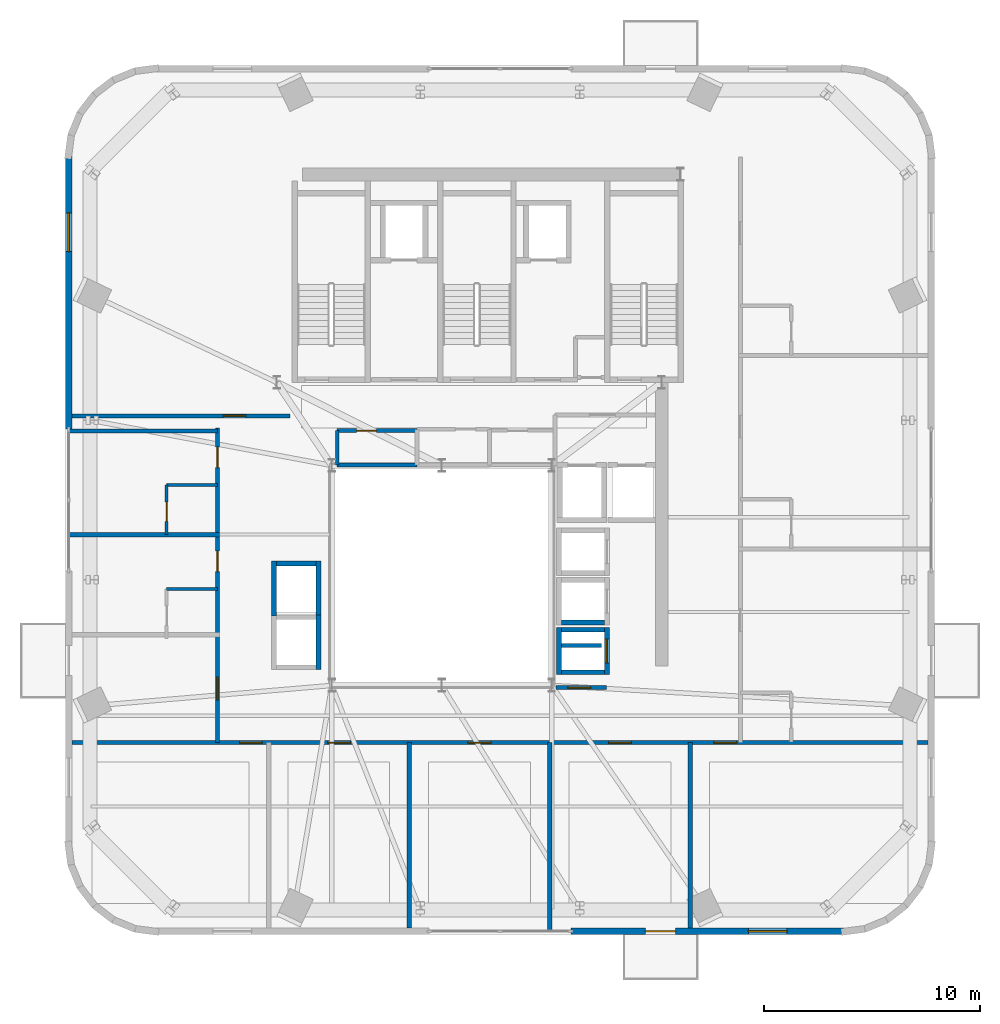
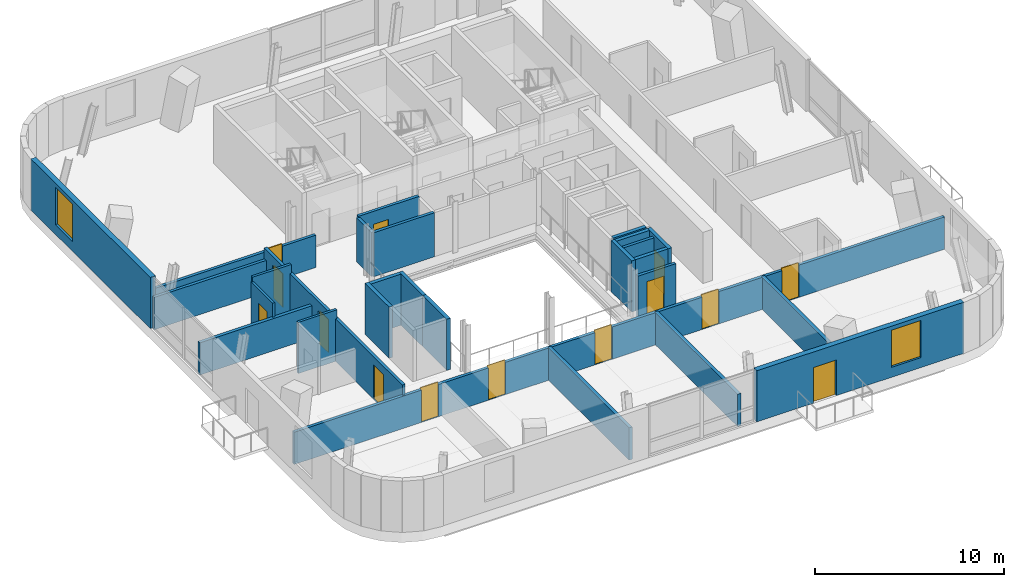
# One storey, part 7 of 13: 27 walls, 14 doors, 2 windows, 16 openings.
"""IFC4 building model written with IfcOpenShell, lengths in metres."""

from ifc_helpers import new_model, si_unit, direction, frame, frame_2d, origin, place, context, subcontext, project, spatial, rectangle, extrude, source, transform, mapped, material, layer, layer_set, type_object, element, fill, save


model = new_model("IFC4")

# Units and contexts
model_context = context("Model", 3, precision=1e-05, world=origin(), true_north=direction((0.0, 1.0)))
body_context = subcontext(model_context, "Body", "Model", "MODEL_VIEW")
ifc_project = project(units=[si_unit("LENGTHUNIT", "METRE"), si_unit("AREAUNIT", "SQUARE_METRE"), si_unit("VOLUMEUNIT", "CUBIC_METRE"), si_unit("PLANEANGLEUNIT", "RADIAN"), si_unit("MASSUNIT", "GRAM", prefix="KILO")], contexts=[model_context])

# Site, building, storey
site_placement = place(None, origin())
site = spatial("IfcSite", under=ifc_project, at=site_placement, CompositionType="ELEMENT")
building_placement = place(site_placement, origin())
building = spatial("IfcBuilding", under=site, at=building_placement, Name="Vardaveli Station Tower", CompositionType="ELEMENT")
storey_placement = place(building_placement, frame((0.0, 0.0, 278.25)))
storey = spatial("IfcBuildingStorey", under=building, at=storey_placement, Name="L71", CompositionType="ELEMENT", Elevation=278.25)

# Wall, openings, door, window
ifc_material_1 = material(Name="Precast concrete C45/55", Category="concrete")
ifc_layer_1 = layer(ifc_material_1, 0.320068359375, Name="Precast concrete C45/55")
ifc_layer_set_1 = layer_set([ifc_layer_1], Name="Precast concrete C45/55")
wall_type_1 = type_object("IfcWallType", Name="WAL-EXT-STONE-320", PredefinedType="SOLIDWALL", material=ifc_layer_set_1)
shared_shape_1 = source(origin(), body_context, "Body", "SweptSolid", [
    extrude(rectangle(XDim=12.6259765625, YDim=0.320068359375, at=frame_2d((6.31298828125, 0.0))), origin(), (0.0, 0.0, 1.0), 3.300048828125),
])
wall_1_placement = place(storey_placement, frame((42.300048828125, 5.199951171875, 0.0), z_axis=(0.0, 0.0, 1.0), x_axis=(1.0, 0.0, 0.0)))
wall_1 = element("IfcWall", 1, at=wall_1_placement, inside=storey, type_object=wall_type_1, Name="EW-L71-S2", PredefinedType="SOLIDWALL", context=body_context, shape_type="MappedRepresentation", body=[
    mapped(shared_shape_1, transform((0.0, 0.0, 0.0), scale=1.0)),
])
shared_shape_2 = source(origin(), body_context, "Body", "SweptSolid", [
    extrude(rectangle(XDim=1.39990234375, YDim=2.300048828125, at=frame_2d((0.699951171875, 1.14990234375))), frame((0.0, 0.169921875, 0.0), z_axis=(0.0, -1.0, 0.0), x_axis=(1.0, 0.0, 0.0)), (0.0, 0.0, 1.0), 0.340087890625),
])
opening_1_placement = place(wall_1_placement, frame((3.447509765625, 0.0, 0.0)))
opening_1 = element("IfcOpeningElement", 2, at=opening_1_placement, cuts=wall_1, Name="Opening D-09", PredefinedType="OPENING", context=body_context, shape_type="MappedRepresentation", body=[
    mapped(shared_shape_2, transform((0.0, 0.0, 0.0), scale=1.0)),
])
shared_shape_3 = source(origin(), body_context, "Body", "SweptSolid", [
    extrude(rectangle(XDim=1.800048828125, YDim=2.39990234375, at=frame_2d((0.89990234375, 1.199951171875))), frame((0.0, 0.169921875, 0.0), z_axis=(0.0, -1.0, 0.0), x_axis=(1.0, 0.0, 0.0)), (0.0, 0.0, 1.0), 0.340087890625),
])
opening_2_placement = place(wall_1_placement, frame((8.2158203125, 0.0, 0.639892578125)))
opening_2 = element("IfcOpeningElement", 3, at=opening_2_placement, cuts=wall_1, Name="Opening W-05", PredefinedType="OPENING", context=body_context, shape_type="MappedRepresentation", body=[
    mapped(shared_shape_3, transform((0.0, 0.0, 0.0), scale=1.0)),
])
ifc_material_2 = material(Name="Thermally broken aluminium glass", Category="aluminium")
door_type_1 = type_object("IfcDoorType", Name="DR-LOG-1400x2300", OperationType="DOUBLE_DOOR_SLIDING", PredefinedType="DOOR", material=ifc_material_2)
shared_shape_4 = source(origin(), body_context, "Body", "SweptSolid", [
    extrude(rectangle(XDim=1.39990234375, YDim=2.300048828125, at=frame_2d((0.699951171875, 1.14990234375))), frame((0.0, 0.02490234375, 0.0), z_axis=(0.0, -1.0, 0.0), x_axis=(1.0, 0.0, 0.0)), (0.0, 0.0, 1.0), 0.050048828125),
])
door_1_placement = place(opening_1_placement, frame((1.39990234375, 0.0, 0.0), z_axis=(0.0, 0.0, 1.0), x_axis=(-1.0, 0.0, 0.0)))
door_1 = element("IfcDoor", 4, at=door_1_placement, inside=storey, type_object=door_type_1, Name="DLG-L71-S", OperationType="DOUBLE_DOOR_SLIDING", OverallHeight=2.300048828125, OverallWidth=1.39990234375, PredefinedType="DOOR", context=body_context, shape_type="MappedRepresentation", body=[
    mapped(shared_shape_4, transform((0.0, 0.0, 0.0), scale=1.0)),
])
fill(opening_1, door_1)
ifc_material_3 = material(Name="Low-E solar-control glass", Category="glass")
window_type = type_object("IfcWindowType", Name="WIN-HIGH-1800x2400", PartitioningType="SINGLE_PANEL", PredefinedType="WINDOW", material=ifc_material_3)
shared_shape_5 = source(origin(), body_context, "Body", "SweptSolid", [
    extrude(rectangle(XDim=1.800048828125, YDim=2.39990234375, at=frame_2d((0.89990234375, 1.199951171875))), frame((0.0, 0.030029296875, 0.0), z_axis=(0.0, -1.0, 0.0), x_axis=(1.0, 0.0, 0.0)), (0.0, 0.0, 1.0), 0.06005859375),
])
window_1_placement = place(opening_2_placement, origin())
window_1 = element("IfcWindow", 5, at=window_1_placement, inside=storey, type_object=window_type, Name="WN-L71-S2", OverallHeight=2.39990234375, OverallWidth=1.800048828125, PartitioningType="SINGLE_PANEL", PredefinedType="WINDOW", context=body_context, shape_type="MappedRepresentation", body=[
    mapped(shared_shape_5, transform((0.0, 0.0, 0.0), scale=1.0)),
])
fill(opening_2, window_1)

# Wall, opening, window
wall_2_placement = place(storey_placement, frame((19.0, 41.1259765625, 0.0), z_axis=(0.0, 0.0, 1.0), x_axis=(0.0, -1.0, 0.0)))
wall_2 = element("IfcWall", 6, at=wall_2_placement, inside=storey, type_object=wall_type_1, Name="EW-L71-W1", PredefinedType="SOLIDWALL", context=body_context, shape_type="MappedRepresentation", body=[
    mapped(shared_shape_1, transform((0.0, 0.0, 0.0), scale=1.0)),
])
opening_3_placement = place(wall_2_placement, frame((2.610107421875, 0.0, 0.639892578125)))
opening_3 = element("IfcOpeningElement", 7, at=opening_3_placement, cuts=wall_2, Name="Opening W-05", PredefinedType="OPENING", context=body_context, shape_type="MappedRepresentation", body=[
    mapped(shared_shape_3, transform((0.0, 0.0, 0.0), scale=1.0)),
])
window_2_placement = place(opening_3_placement, origin())
window_2 = element("IfcWindow", 8, at=window_2_placement, inside=storey, type_object=window_type, Name="WN-L71-W1", OverallHeight=2.39990234375, OverallWidth=1.800048828125, PartitioningType="SINGLE_PANEL", PredefinedType="WINDOW", context=body_context, shape_type="MappedRepresentation", body=[
    mapped(shared_shape_5, transform((0.0, 0.0, 0.0), scale=1.0)),
])
fill(opening_3, window_2)

# Walls
ifc_material_4 = material(Name="Concrete C40/50", Category="concrete")
ifc_layer_2 = layer(ifc_material_4, 0.219970703125, Name="Concrete C40/50")
ifc_layer_set_2 = layer_set([ifc_layer_2], Name="Concrete C40/50")
wall_type_2 = type_object("IfcWallType", Name="WAL-FFLOBBY-220", PredefinedType="SOLIDWALL", material=ifc_layer_set_2)
shared_shape_6 = source(origin(), body_context, "Body", "SweptSolid", [
    extrude(rectangle(XDim=2.0, YDim=0.219970703125, at=frame_2d((1.0, 0.0))), origin(), (0.0, 0.0, 1.0), 3.300048828125),
])
for number, where, z_axis, x_axis, name in (
    (9, (41.85009765625, 19.514892578125, 0.0), (0.0, 0.0, 1.0), (1.0, 0.0, 0.0), "SHW-HL3-02-L71-S"),
    (10, (41.85009765625, 17.215087890625, 0.0), (0.0, 0.0, 1.0), (1.0, 0.0, 0.0), "SHW-HL3-03-L71-S"),
    (11, (41.85009765625, 19.18505859375, 0.0), (0.0, 0.0, 1.0), (1.0, 0.0, 0.0), "SHW-HL3-03-L71-N"),
):
    element("IfcWall", number, at=place(storey_placement, frame(where, z_axis=z_axis, x_axis=x_axis)), inside=storey, type_object=wall_type_2, Name=name, PredefinedType="SOLIDWALL", context=body_context, shape_type="MappedRepresentation", body=[
        mapped(shared_shape_6, transform((0.0, 0.0, 0.0), scale=1.0)),
    ])
shared_shape_7 = source(origin(), body_context, "Body", "SweptSolid", [
    extrude(rectangle(XDim=2.18994140625, YDim=0.219970703125, at=frame_2d((1.094970703125, 0.0))), origin(), (0.0, 0.0, 1.0), 3.300048828125),
])
wall_3_placement = place(storey_placement, frame((41.739990234375, 17.10498046875, 0.0), z_axis=(0.0, 0.0, 1.0), x_axis=(0.0, 1.0, 0.0)))
element("IfcWall", 12, at=wall_3_placement, inside=storey, type_object=wall_type_2, Name="SHW-HL3-03-L71-W", PredefinedType="SOLIDWALL", context=body_context, shape_type="MappedRepresentation", body=[
    mapped(shared_shape_7, transform((0.0, 0.0, 0.0), scale=1.0)),
])

# Wall, opening, door
wall_4_placement = place(storey_placement, frame((43.9599609375, 17.10498046875, 0.0), z_axis=(0.0, 0.0, 1.0), x_axis=(0.0, 1.0, 0.0)))
wall_4 = element("IfcWall", 13, at=wall_4_placement, inside=storey, type_object=wall_type_2, Name="SHW-HL3-03-L71-E", PredefinedType="SOLIDWALL", context=body_context, shape_type="MappedRepresentation", body=[
    mapped(shared_shape_7, transform((0.0, 0.0, 0.0), scale=1.0)),
])
shared_shape_8 = source(origin(), body_context, "Body", "SweptSolid", [
    extrude(rectangle(XDim=1.10009765625, YDim=2.199951171875, at=frame_2d((0.550048828125, 1.10009765625))), frame((0.0, 0.1201171875, 0.0), z_axis=(0.0, -1.0, 0.0), x_axis=(1.0, 0.0, 0.0)), (0.0, 0.0, 1.0), 0.239990234375),
])
opening_4_placement = place(wall_4_placement, frame((0.544921875, 0.0, 0.0)))
opening_4 = element("IfcOpeningElement", 14, at=opening_4_placement, cuts=wall_4, Name="Opening LD-01", PredefinedType="OPENING", context=body_context, shape_type="MappedRepresentation", body=[
    mapped(shared_shape_8, transform((0.0, 0.0, 0.0), scale=1.0)),
])
ifc_material_5 = material(Name="Brushed stainless steel", Category="steel")
door_type_2 = type_object("IfcDoorType", Name="DR-LD-1100x2200", OperationType="DOUBLE_DOOR_SLIDING", PredefinedType="DOOR", material=ifc_material_5)
shared_shape_9 = source(origin(), body_context, "Body", "SweptSolid", [
    extrude(rectangle(XDim=1.10009765625, YDim=2.199951171875, at=frame_2d((0.550048828125, 1.10009765625))), frame((0.0, 0.02490234375, 0.0), z_axis=(0.0, -1.0, 0.0), x_axis=(1.0, 0.0, 0.0)), (0.0, 0.0, 1.0), 0.050048828125),
])
door_2_placement = place(opening_4_placement, origin())
door_2 = element("IfcDoor", 15, at=door_2_placement, inside=storey, type_object=door_type_2, Name="LD-HL3-03-L71", OperationType="DOUBLE_DOOR_SLIDING", OverallHeight=2.199951171875, OverallWidth=1.10009765625, PredefinedType="DOOR", context=body_context, shape_type="MappedRepresentation", body=[
    mapped(shared_shape_9, transform((0.0, 0.0, 0.0), scale=1.0)),
])
fill(opening_4, door_2)

# Walls
shared_shape_10 = source(origin(), body_context, "Body", "SweptSolid", [
    extrude(rectangle(XDim=1.85009765625, YDim=0.219970703125, at=frame_2d((0.925048828125, 0.0))), origin(), (0.0, 0.0, 1.0), 3.300048828125),
])
wall_5_placement = place(storey_placement, frame((28.625, 22.260009765625, 0.0), z_axis=(0.0, 0.0, 1.0), x_axis=(1.0, 0.0, 0.0)))
element("IfcWall", 16, at=wall_5_placement, inside=storey, type_object=wall_type_2, Name="SHW-OBS-02-L71-N", PredefinedType="SOLIDWALL", context=body_context, shape_type="MappedRepresentation", body=[
    mapped(shared_shape_10, transform((0.0, 0.0, 0.0), scale=1.0)),
])
shared_shape_11 = source(origin(), body_context, "Body", "SweptSolid", [
    extrude(rectangle(XDim=2.5400390625, YDim=0.219970703125, at=frame_2d((1.27001953125, 0.0))), origin(), (0.0, 0.0, 1.0), 3.300048828125),
])
for number, where, z_axis, x_axis, name in (
    (17, (30.5849609375, 17.330078125, 0.0), (0.0, 0.0, 1.0), (0.0, 1.0, 0.0), "SHW-OBS-01-L71-E"),
    (18, (28.514892578125, 19.830078125, 0.0), (0.0, 0.0, 1.0), (0.0, 1.0, 0.0), "SHW-OBS-02-L71-W"),
    (19, (30.5849609375, 19.830078125, 0.0), (0.0, 0.0, 1.0), (0.0, 1.0, 0.0), "SHW-OBS-02-L71-E"),
):
    element("IfcWall", number, at=place(storey_placement, frame(where, z_axis=z_axis, x_axis=x_axis)), inside=storey, type_object=wall_type_2, Name=name, PredefinedType="SOLIDWALL", context=body_context, shape_type="MappedRepresentation", body=[
        mapped(shared_shape_11, transform((0.0, 0.0, 0.0), scale=1.0)),
    ])

# Wall, openings, doors
ifc_material_6 = material(Name="Fire-rated gypsum stud partition")
ifc_layer_3 = layer(ifc_material_6, 0.179931640625, Name="Fire-rated gypsum stud partition")
ifc_layer_set_3 = layer_set([ifc_layer_3], Name="Fire-rated gypsum stud partition")
wall_type_3 = type_object("IfcWallType", Name="WAL-CORR-180", PredefinedType="PARTITIONING", material=ifc_layer_set_3)
shared_shape_12 = source(origin(), body_context, "Body", "SweptSolid", [
    extrude(rectangle(XDim=14.60009765625, YDim=0.179931640625, at=frame_2d((7.300048828125, 0.0))), origin(), (0.0, 0.0, 1.0), 2.741943359375),
])
wall_6_placement = place(storey_placement, frame((25.89990234375, 13.949951171875, 0.0), z_axis=(0.0, 0.0, 1.0), x_axis=(0.0, 1.0, 0.0)))
wall_6 = element("IfcWall", 20, at=wall_6_placement, inside=storey, type_object=wall_type_3, Name="W-L71-CW", PredefinedType="PARTITIONING", context=body_context, shape_type="MappedRepresentation", body=[
    mapped(shared_shape_12, transform((0.0, 0.0, 0.0), scale=1.0)),
])
shared_shape_13 = source(origin(), body_context, "Body", "SweptSolid", [
    extrude(rectangle(XDim=1.050048828125, YDim=2.199951171875, at=frame_2d((0.52490234375, 1.10009765625))), frame((0.0, 0.10009765625, 0.0), z_axis=(0.0, -1.0, 0.0), x_axis=(1.0, 0.0, 0.0)), (0.0, 0.0, 1.0), 0.199951171875),
])
opening_5_placement = place(wall_6_placement, frame((1.981201171875, 0.0, 0.0)))
opening_5 = element("IfcOpeningElement", 21, at=opening_5_placement, cuts=wall_6, Name="Opening D-05", PredefinedType="OPENING", context=body_context, shape_type="MappedRepresentation", body=[
    mapped(shared_shape_13, transform((0.0, 0.0, 0.0), scale=1.0)),
])
shared_shape_14 = source(origin(), body_context, "Body", "SweptSolid", [
    extrude(rectangle(XDim=0.949951171875, YDim=2.14990234375, at=frame_2d((0.47509765625, 1.074951171875))), frame((0.0, 0.10009765625, 0.0), z_axis=(0.0, -1.0, 0.0), x_axis=(1.0, 0.0, 0.0)), (0.0, 0.0, 1.0), 0.199951171875),
])
opening_6_placement = place(wall_6_placement, frame((7.929931640625, 0.0, 0.0)))
opening_6 = element("IfcOpeningElement", 22, at=opening_6_placement, cuts=wall_6, Name="Opening D-06", PredefinedType="OPENING", context=body_context, shape_type="MappedRepresentation", body=[
    mapped(shared_shape_14, transform((0.0, 0.0, 0.0), scale=1.0)),
])
opening_7_placement = place(wall_6_placement, frame((12.74658203125, 0.0, 0.0)))
opening_7 = element("IfcOpeningElement", 23, at=opening_7_placement, cuts=wall_6, Name="Opening D-06", PredefinedType="OPENING", context=body_context, shape_type="MappedRepresentation", body=[
    mapped(shared_shape_14, transform((0.0, 0.0, 0.0), scale=1.0)),
])
ifc_material_7 = material(Name="Walnut veneer acoustic fire door")
door_type_3 = type_object("IfcDoorType", Name="DR-SUITE-1050x2200", OperationType="NOTDEFINED", PredefinedType="DOOR", material=ifc_material_7)
shared_shape_15 = source(origin(), body_context, "Body", "SweptSolid", [
    extrude(rectangle(XDim=1.050048828125, YDim=2.199951171875, at=frame_2d((0.52490234375, 1.10009765625))), frame((0.0, 0.02490234375, 0.0), z_axis=(0.0, -1.0, 0.0), x_axis=(1.0, 0.0, 0.0)), (0.0, 0.0, 1.0), 0.050048828125),
])
door_3_placement = place(opening_5_placement, origin())
door_3 = element("IfcDoor", 24, at=door_3_placement, inside=storey, type_object=door_type_3, Name="D-L71-GW1", OperationType="SINGLE_SWING_LEFT", OverallHeight=2.199951171875, OverallWidth=1.050048828125, PredefinedType="DOOR", context=body_context, shape_type="MappedRepresentation", body=[
    mapped(shared_shape_15, transform((0.0, 0.0, 0.0), scale=1.0)),
])
fill(opening_5, door_3)
ifc_material_8 = material(Name="Oak veneer acoustic fire door")
door_type_4 = type_object("IfcDoorType", Name="DR-GUEST-950x2150", OperationType="NOTDEFINED", PredefinedType="DOOR", material=ifc_material_8)
shared_shape_16 = source(origin(), body_context, "Body", "SweptSolid", [
    extrude(rectangle(XDim=0.949951171875, YDim=2.14990234375, at=frame_2d((0.47509765625, 1.074951171875))), frame((0.0, 0.02490234375, 0.0), z_axis=(0.0, -1.0, 0.0), x_axis=(1.0, 0.0, 0.0)), (0.0, 0.0, 1.0), 0.050048828125),
])
door_4_placement = place(opening_6_placement, origin())
door_4 = element("IfcDoor", 25, at=door_4_placement, inside=storey, type_object=door_type_4, Name="D-L71-GW2", OperationType="SINGLE_SWING_RIGHT", OverallHeight=2.14990234375, OverallWidth=0.949951171875, PredefinedType="DOOR", context=body_context, shape_type="MappedRepresentation", body=[
    mapped(shared_shape_16, transform((0.0, 0.0, 0.0), scale=1.0)),
])
fill(opening_6, door_4)
door_5_placement = place(opening_7_placement, origin())
door_5 = element("IfcDoor", 26, at=door_5_placement, inside=storey, type_object=door_type_4, Name="D-L71-GW3", OperationType="SINGLE_SWING_LEFT", OverallHeight=2.14990234375, OverallWidth=0.949951171875, PredefinedType="DOOR", context=body_context, shape_type="MappedRepresentation", body=[
    mapped(shared_shape_16, transform((0.0, 0.0, 0.0), scale=1.0)),
])
fill(opening_7, door_5)

# Wall, opening, door
shared_shape_17 = source(origin(), body_context, "Body", "SweptSolid", [
    extrude(rectangle(XDim=2.329833984375, YDim=0.179931640625, at=frame_2d((1.1650390625, 0.0))), origin(), (0.0, 0.0, 1.0), 2.741943359375),
])
wall_7_placement = place(storey_placement, frame((41.60009765625, 16.5, 0.0), z_axis=(0.0, 0.0, 1.0), x_axis=(1.0, 0.0, 0.0)))
wall_7 = element("IfcWall", 27, at=wall_7_placement, inside=storey, type_object=wall_type_3, Name="W-L71-ATE-S", PredefinedType="PARTITIONING", context=body_context, shape_type="MappedRepresentation", body=[
    mapped(shared_shape_17, transform((0.0, 0.0, 0.0), scale=1.0)),
])
opening_8_placement = place(wall_7_placement, frame((0.550048828125, 0.0, 0.0)))
opening_8 = element("IfcOpeningElement", 28, at=opening_8_placement, cuts=wall_7, Name="Opening D-05", PredefinedType="OPENING", context=body_context, shape_type="MappedRepresentation", body=[
    mapped(shared_shape_13, transform((0.0, 0.0, 0.0), scale=1.0)),
])
door_6_placement = place(opening_8_placement, origin())
door_6 = element("IfcDoor", 29, at=door_6_placement, inside=storey, type_object=door_type_3, Name="D-L71-ATE1", OperationType="SINGLE_SWING_RIGHT", OverallHeight=2.199951171875, OverallWidth=1.050048828125, PredefinedType="DOOR", context=body_context, shape_type="MappedRepresentation", body=[
    mapped(shared_shape_15, transform((0.0, 0.0, 0.0), scale=1.0)),
])
fill(opening_8, door_6)

ifc_material_9 = material(Name="Moisture-resistant stud partition")
ifc_layer_4 = layer(ifc_material_9, 0.14990234375, Name="Moisture-resistant stud partition")
ifc_layer_set_4 = layer_set([ifc_layer_4], Name="Moisture-resistant stud partition")
wall_type_4 = type_object("IfcWallType", Name="WAL-WET-150", PredefinedType="PARTITIONING", material=ifc_layer_set_4)
shared_shape_18 = source(origin(), body_context, "Body", "SweptSolid", [
    extrude(rectangle(XDim=2.2900390625, YDim=0.14990234375, at=frame_2d((1.14501953125, 0.0))), origin(), (0.0, 0.0, 1.0), 2.991943359375),
])
wall_8_placement = place(storey_placement, frame((23.5400390625, 23.60302734375, 0.0), z_axis=(0.0, 0.0, 1.0), x_axis=(0.0, 1.0, 0.0)))
wall_8 = element("IfcWall", 30, at=wall_8_placement, inside=storey, type_object=wall_type_4, Name="W-L71-BW3-W", PredefinedType="PARTITIONING", context=body_context, shape_type="MappedRepresentation", body=[
    mapped(shared_shape_18, transform((0.0, 0.0, 0.0), scale=1.0)),
])
shared_shape_19 = source(origin(), body_context, "Body", "SweptSolid", [
    extrude(rectangle(XDim=0.89990234375, YDim=2.10009765625, at=frame_2d((0.449951171875, 1.050048828125))), frame((0.0, 0.0849609375, 0.0), z_axis=(0.0, -1.0, 0.0), x_axis=(1.0, 0.0, 0.0)), (0.0, 0.0, 1.0), 0.169921875),
])
opening_9_placement = place(wall_8_placement, frame((0.60009765625, 0.0, 0.0)))
opening_9 = element("IfcOpeningElement", 31, at=opening_9_placement, cuts=wall_8, Name="Opening D-08", PredefinedType="OPENING", context=body_context, shape_type="MappedRepresentation", body=[
    mapped(shared_shape_19, transform((0.0, 0.0, 0.0), scale=1.0)),
])
ifc_material_10 = material(Name="Moisture-resistant oak door")
door_type_5 = type_object("IfcDoorType", Name="DR-BATH-900x2100", OperationType="NOTDEFINED", PredefinedType="DOOR", material=ifc_material_10)
shared_shape_20 = source(origin(), body_context, "Body", "SweptSolid", [
    extrude(rectangle(XDim=0.89990234375, YDim=2.10009765625, at=frame_2d((0.449951171875, 1.050048828125))), frame((0.0, 0.02490234375, 0.0), z_axis=(0.0, -1.0, 0.0), x_axis=(1.0, 0.0, 0.0)), (0.0, 0.0, 1.0), 0.050048828125),
])
door_7_placement = place(opening_9_placement, origin())
door_7 = element("IfcDoor", 32, at=door_7_placement, inside=storey, type_object=door_type_5, Name="D-L71-BW3", OperationType="SINGLE_SWING_RIGHT", OverallHeight=2.10009765625, OverallWidth=0.89990234375, PredefinedType="DOOR", context=body_context, shape_type="MappedRepresentation", body=[
    mapped(shared_shape_20, transform((0.0, 0.0, 0.0), scale=1.0)),
])
fill(opening_9, door_7)

# Wall
shared_shape_21 = source(origin(), body_context, "Body", "SweptSolid", [
    extrude(rectangle(XDim=1.85791015625, YDim=0.179931640625, at=frame_2d((0.928955078125, 0.0))), origin(), (0.0, 0.0, 1.0), 3.300048828125),
])
wall_9_placement = place(storey_placement, frame((41.85205078125, 18.449951171875, 0.0), z_axis=(0.0, 0.0, 1.0), x_axis=(1.0, 0.0, 0.0)))
element("IfcWall", 33, at=wall_9_placement, inside=storey, type_object=wall_type_3, Name="W-L71-ATE-N", PredefinedType="PARTITIONING", context=body_context, shape_type="MappedRepresentation", body=[
    mapped(shared_shape_21, transform((0.0, 0.0, 0.0), scale=1.0)),
])

# Wall, openings, doors
shared_shape_22 = source(origin(), body_context, "Body", "SweptSolid", [
    extrude(rectangle(XDim=39.67578125, YDim=0.179931640625, at=frame_2d((19.837890625, 0.0))), origin(), (0.0, 0.0, 1.0), 2.080078125),
])
wall_10_placement = place(storey_placement, frame((19.162109375, 13.949951171875, 0.0), z_axis=(0.0, 0.0, 1.0), x_axis=(1.0, 0.0, 0.0)))
wall_10 = element("IfcWall", 34, at=wall_10_placement, inside=storey, type_object=wall_type_3, Name="W-L71-CS", PredefinedType="PARTITIONING", context=body_context, shape_type="MappedRepresentation", body=[
    mapped(shared_shape_22, transform((0.0, 0.0, 0.0), scale=1.0)),
])
opening_10_placement = place(wall_10_placement, frame((7.758056640625, 0.0, 0.0)))
opening_10 = element("IfcOpeningElement", 35, at=opening_10_placement, cuts=wall_10, Name="Opening D-05", PredefinedType="OPENING", context=body_context, shape_type="MappedRepresentation", body=[
    mapped(shared_shape_13, transform((0.0, 0.0, 0.0), scale=1.0)),
])
opening_11_placement = place(wall_10_placement, frame((11.846435546875, 0.0, 0.0)))
opening_11 = element("IfcOpeningElement", 36, at=opening_11_placement, cuts=wall_10, Name="Opening D-05", PredefinedType="OPENING", context=body_context, shape_type="MappedRepresentation", body=[
    mapped(shared_shape_13, transform((0.0, 0.0, 0.0), scale=1.0)),
])
opening_12_placement = place(wall_10_placement, frame((18.363037109375, 0.0, 0.0)))
opening_12 = element("IfcOpeningElement", 37, at=opening_12_placement, cuts=wall_10, Name="Opening D-05", PredefinedType="OPENING", context=body_context, shape_type="MappedRepresentation", body=[
    mapped(shared_shape_13, transform((0.0, 0.0, 0.0), scale=1.0)),
])
opening_13_placement = place(wall_10_placement, frame((24.879638671875, 0.0, 0.0)))
opening_13 = element("IfcOpeningElement", 38, at=opening_13_placement, cuts=wall_10, Name="Opening D-05", PredefinedType="OPENING", context=body_context, shape_type="MappedRepresentation", body=[
    mapped(shared_shape_13, transform((0.0, 0.0, 0.0), scale=1.0)),
])
opening_14_placement = place(wall_10_placement, frame((29.758056640625, 0.0, 0.0)))
opening_14 = element("IfcOpeningElement", 39, at=opening_14_placement, cuts=wall_10, Name="Opening D-05", PredefinedType="OPENING", context=body_context, shape_type="MappedRepresentation", body=[
    mapped(shared_shape_13, transform((0.0, 0.0, 0.0), scale=1.0)),
])
door_8_placement = place(opening_10_placement, origin())
door_8 = element("IfcDoor", 40, at=door_8_placement, inside=storey, type_object=door_type_3, Name="D-L71-SA1", OperationType="SINGLE_SWING_LEFT", OverallHeight=2.199951171875, OverallWidth=1.050048828125, PredefinedType="DOOR", context=body_context, shape_type="MappedRepresentation", body=[
    mapped(shared_shape_15, transform((0.0, 0.0, 0.0), scale=1.0)),
])
fill(opening_10, door_8)
door_9_placement = place(opening_11_placement, origin())
door_9 = element("IfcDoor", 41, at=door_9_placement, inside=storey, type_object=door_type_3, Name="D-L71-SA2", OperationType="SINGLE_SWING_RIGHT", OverallHeight=2.199951171875, OverallWidth=1.050048828125, PredefinedType="DOOR", context=body_context, shape_type="MappedRepresentation", body=[
    mapped(shared_shape_15, transform((0.0, 0.0, 0.0), scale=1.0)),
])
fill(opening_11, door_9)
door_10_placement = place(opening_12_placement, origin())
door_10 = element("IfcDoor", 42, at=door_10_placement, inside=storey, type_object=door_type_3, Name="D-L71-SA3", OperationType="SINGLE_SWING_LEFT", OverallHeight=2.199951171875, OverallWidth=1.050048828125, PredefinedType="DOOR", context=body_context, shape_type="MappedRepresentation", body=[
    mapped(shared_shape_15, transform((0.0, 0.0, 0.0), scale=1.0)),
])
fill(opening_12, door_10)
door_11_placement = place(opening_13_placement, origin())
door_11 = element("IfcDoor", 43, at=door_11_placement, inside=storey, type_object=door_type_3, Name="D-L71-SA4", OperationType="SINGLE_SWING_RIGHT", OverallHeight=2.199951171875, OverallWidth=1.050048828125, PredefinedType="DOOR", context=body_context, shape_type="MappedRepresentation", body=[
    mapped(shared_shape_15, transform((0.0, 0.0, 0.0), scale=1.0)),
])
fill(opening_13, door_11)
door_12_placement = place(opening_14_placement, origin())
door_12 = element("IfcDoor", 44, at=door_12_placement, inside=storey, type_object=door_type_3, Name="D-L71-SA5", OperationType="SINGLE_SWING_LEFT", OverallHeight=2.199951171875, OverallWidth=1.050048828125, PredefinedType="DOOR", context=body_context, shape_type="MappedRepresentation", body=[
    mapped(shared_shape_15, transform((0.0, 0.0, 0.0), scale=1.0)),
])
fill(opening_14, door_12)

# Wall, opening, door
shared_shape_23 = source(origin(), body_context, "Body", "SweptSolid", [
    extrude(rectangle(XDim=10.087890625, YDim=0.179931640625, at=frame_2d((5.0439453125, 0.0))), origin(), (0.0, 0.0, 1.0), 2.080078125),
])
wall_11_placement = place(storey_placement, frame((19.162109375, 29.10009765625, 0.0), z_axis=(0.0, 0.0, 1.0), x_axis=(1.0, 0.0, 0.0)))
wall_11 = element("IfcWall", 45, at=wall_11_placement, inside=storey, type_object=wall_type_3, Name="W-L71-CNWS", PredefinedType="PARTITIONING", context=body_context, shape_type="MappedRepresentation", body=[
    mapped(shared_shape_23, transform((0.0, 0.0, 0.0), scale=1.0)),
])
opening_15_placement = place(wall_11_placement, frame((6.998046875, 0.0, 0.0)))
opening_15 = element("IfcOpeningElement", 46, at=opening_15_placement, cuts=wall_11, Name="Opening D-05", PredefinedType="OPENING", context=body_context, shape_type="MappedRepresentation", body=[
    mapped(shared_shape_13, transform((0.0, 0.0, 0.0), scale=1.0)),
])
door_13_placement = place(opening_15_placement, origin())
door_13 = element("IfcDoor", 47, at=door_13_placement, inside=storey, type_object=door_type_3, Name="D-L71-GNW1", OperationType="SINGLE_SWING_RIGHT", OverallHeight=2.199951171875, OverallWidth=1.050048828125, PredefinedType="DOOR", context=body_context, shape_type="MappedRepresentation", body=[
    mapped(shared_shape_15, transform((0.0, 0.0, 0.0), scale=1.0)),
])
fill(opening_15, door_13)

shared_shape_24 = source(origin(), body_context, "Body", "SweptSolid", [
    extrude(rectangle(XDim=3.699951171875, YDim=0.179931640625, at=frame_2d((1.85009765625, 0.0))), origin(), (0.0, 0.0, 1.0), 2.931884765625),
])
wall_12_placement = place(storey_placement, frame((31.449951171875, 28.419921875, 0.0), z_axis=(0.0, 0.0, 1.0), x_axis=(1.0, 0.0, 0.0)))
wall_12 = element("IfcWall", 48, at=wall_12_placement, inside=storey, type_object=wall_type_3, Name="W-L71-CS2A-N", PredefinedType="PARTITIONING", context=body_context, shape_type="MappedRepresentation", body=[
    mapped(shared_shape_24, transform((0.0, 0.0, 0.0), scale=1.0)),
])
shared_shape_25 = source(origin(), body_context, "Body", "SweptSolid", [
    extrude(rectangle(XDim=0.919921875, YDim=2.10009765625, at=frame_2d((0.4599609375, 1.050048828125))), frame((0.0, 0.10009765625, 0.0), z_axis=(0.0, -1.0, 0.0), x_axis=(1.0, 0.0, 0.0)), (0.0, 0.0, 1.0), 0.199951171875),
])
opening_16_placement = place(wall_12_placement, frame((0.89990234375, 0.0, 0.0)))
opening_16 = element("IfcOpeningElement", 49, at=opening_16_placement, cuts=wall_12, Name="Opening D-07", PredefinedType="OPENING", context=body_context, shape_type="MappedRepresentation", body=[
    mapped(shared_shape_25, transform((0.0, 0.0, 0.0), scale=1.0)),
])
ifc_material_11 = material(Name="Moisture-resistant hardwood door", Category="wood")
door_type_6 = type_object("IfcDoorType", Name="DR-WC-920x2100", OperationType="NOTDEFINED", PredefinedType="DOOR", material=ifc_material_11)
shared_shape_26 = source(origin(), body_context, "Body", "SweptSolid", [
    extrude(rectangle(XDim=0.919921875, YDim=2.10009765625, at=frame_2d((0.4599609375, 1.050048828125))), frame((0.0, 0.02490234375, 0.0), z_axis=(0.0, -1.0, 0.0), x_axis=(1.0, 0.0, 0.0)), (0.0, 0.0, 1.0), 0.050048828125),
])
door_14_placement = place(opening_16_placement, origin())
door_14 = element("IfcDoor", 50, at=door_14_placement, inside=storey, type_object=door_type_6, Name="D-L71-CS2A", OperationType="SINGLE_SWING_RIGHT", OverallHeight=2.10009765625, OverallWidth=0.919921875, PredefinedType="DOOR", context=body_context, shape_type="MappedRepresentation", body=[
    mapped(shared_shape_26, transform((0.0, 0.0, 0.0), scale=1.0)),
])
fill(opening_16, door_14)

# Walls
ifc_material_12 = material(Name="Acoustic twin-stud gypsum partition")
ifc_layer_5 = layer(ifc_material_12, 0.199951171875, Name="Acoustic twin-stud gypsum partition")
ifc_layer_set_5 = layer_set([ifc_layer_5], Name="Acoustic twin-stud gypsum partition")
wall_type_5 = type_object("IfcWallType", Name="WAL-PARTY-200", PredefinedType="PARTITIONING", material=ifc_layer_set_5)
shared_shape_27 = source(origin(), body_context, "Body", "SweptSolid", [
    extrude(rectangle(XDim=8.587890625, YDim=0.199951171875, at=frame_2d((4.2939453125, 0.0))), origin(), (0.0, 0.0, 1.0), 2.080078125),
])
for number, where, z_axis, x_axis, name in (
    (51, (34.787109375, 5.362060546875, 0.0), (0.0, 0.0, 1.0), (0.0, 1.0, 0.0), "W-L71-PS2"),
    (52, (47.820068359375, 5.362060546875, 0.0), (0.0, 0.0, 1.0), (0.0, 1.0, 0.0), "W-L71-PS4"),
):
    element("IfcWall", number, at=place(storey_placement, frame(where, z_axis=z_axis, x_axis=x_axis)), inside=storey, type_object=wall_type_5, Name=name, PredefinedType="PARTITIONING", context=body_context, shape_type="MappedRepresentation", body=[
        mapped(shared_shape_27, transform((0.0, 0.0, 0.0), scale=1.0)),
    ])
shared_shape_28 = source(origin(), body_context, "Body", "SweptSolid", [
    extrude(rectangle(XDim=8.780029296875, YDim=0.199951171875, at=frame_2d((4.39013671875, 0.0))), origin(), (0.0, 0.0, 1.0), 2.080078125),
])
wall_13_placement = place(storey_placement, frame((41.302978515625, 5.169921875, 0.0), z_axis=(0.0, 0.0, 1.0), x_axis=(0.0, 1.0, 0.0)))
element("IfcWall", 53, at=wall_13_placement, inside=storey, type_object=wall_type_5, Name="W-L71-PS3", PredefinedType="PARTITIONING", context=body_context, shape_type="MappedRepresentation", body=[
    mapped(shared_shape_28, transform((0.0, 0.0, 0.0), scale=1.0)),
])
shared_shape_29 = source(origin(), body_context, "Body", "SweptSolid", [
    extrude(rectangle(XDim=7.030029296875, YDim=0.199951171875, at=frame_2d((3.51513671875, 0.0))), origin(), (0.0, 0.0, 1.0), 2.080078125),
])
wall_14_placement = place(storey_placement, frame((18.969970703125, 23.5830078125, 0.0), z_axis=(0.0, 0.0, 1.0), x_axis=(1.0, 0.0, 0.0)))
element("IfcWall", 54, at=wall_14_placement, inside=storey, type_object=wall_type_5, Name="W-L71-PW2", PredefinedType="PARTITIONING", context=body_context, shape_type="MappedRepresentation", body=[
    mapped(shared_shape_29, transform((0.0, 0.0, 0.0), scale=1.0)),
])
shared_shape_30 = source(origin(), body_context, "Body", "SweptSolid", [
    extrude(rectangle(XDim=6.929931640625, YDim=0.179931640625, at=frame_2d((3.46484375, 0.0))), origin(), (0.0, 0.0, 1.0), 2.080078125),
])
wall_15_placement = place(storey_placement, frame((18.969970703125, 28.39990234375, 0.0), z_axis=(0.0, 0.0, 1.0), x_axis=(1.0, 0.0, 0.0)))
element("IfcWall", 55, at=wall_15_placement, inside=storey, type_object=wall_type_3, Name="W-L71-CWN", PredefinedType="PARTITIONING", context=body_context, shape_type="MappedRepresentation", body=[
    mapped(shared_shape_30, transform((0.0, 0.0, 0.0), scale=1.0)),
])
shared_shape_31 = source(origin(), body_context, "Body", "SweptSolid", [
    extrude(rectangle(XDim=3.699951171875, YDim=0.179931640625, at=frame_2d((1.85009765625, 0.0))), origin(), (0.0, 0.0, 1.0), 2.842041015625),
])
wall_16_placement = place(storey_placement, frame((31.449951171875, 26.820068359375, 0.0), z_axis=(0.0, 0.0, 1.0), x_axis=(1.0, 0.0, 0.0)))
element("IfcWall", 56, at=wall_16_placement, inside=storey, type_object=wall_type_3, Name="W-L71-CS2A-S", PredefinedType="PARTITIONING", context=body_context, shape_type="MappedRepresentation", body=[
    mapped(shared_shape_31, transform((0.0, 0.0, 0.0), scale=1.0)),
])
shared_shape_32 = source(origin(), body_context, "Body", "SweptSolid", [
    extrude(rectangle(XDim=2.35986328125, YDim=0.14990234375, at=frame_2d((1.179931640625, 0.0))), origin(), (0.0, 0.0, 1.0), 3.300048828125),
])
for number, where, z_axis, x_axis, name in (
    (57, (23.5400390625, 21.076904296875, 0.0), (0.0, 0.0, 1.0), (1.0, 0.0, 0.0), "W-L71-BW2-N"),
    (58, (23.5400390625, 25.89306640625, 0.0), (0.0, 0.0, 1.0), (1.0, 0.0, 0.0), "W-L71-BW3-N"),
):
    element("IfcWall", number, at=place(storey_placement, frame(where, z_axis=z_axis, x_axis=x_axis)), inside=storey, type_object=wall_type_4, Name=name, PredefinedType="PARTITIONING", context=body_context, shape_type="MappedRepresentation", body=[
        mapped(shared_shape_32, transform((0.0, 0.0, 0.0), scale=1.0)),
    ])
shared_shape_33 = source(origin(), body_context, "Body", "SweptSolid", [
    extrude(rectangle(XDim=1.599853515625, YDim=0.179931640625, at=frame_2d((0.7998046875, 0.0))), origin(), (0.0, 0.0, 1.0), 2.842041015625),
])
wall_17_placement = place(storey_placement, frame((31.449951171875, 26.820068359375, 0.0), z_axis=(0.0, 0.0, 1.0), x_axis=(0.0, 1.0, 0.0)))
element("IfcWall", 59, at=wall_17_placement, inside=storey, type_object=wall_type_3, Name="W-L71-CS2A-W", PredefinedType="PARTITIONING", context=body_context, shape_type="MappedRepresentation", body=[
    mapped(shared_shape_33, transform((0.0, 0.0, 0.0), scale=1.0)),
])

save(model, "model.ifc")
